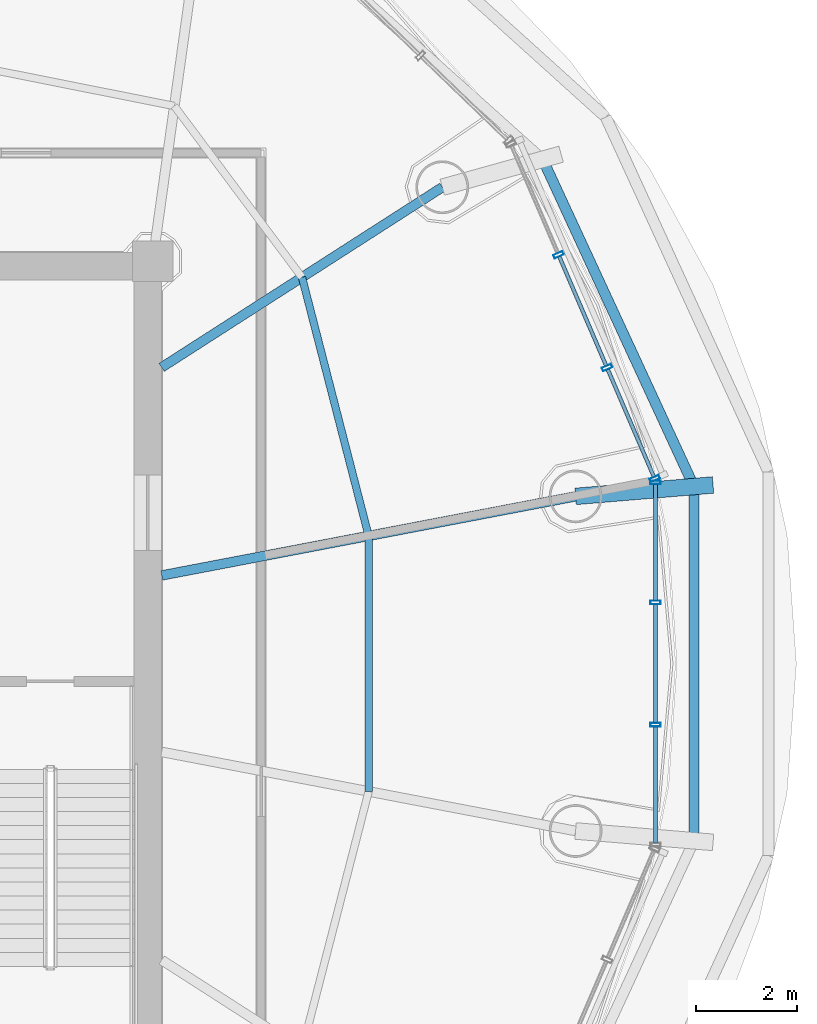
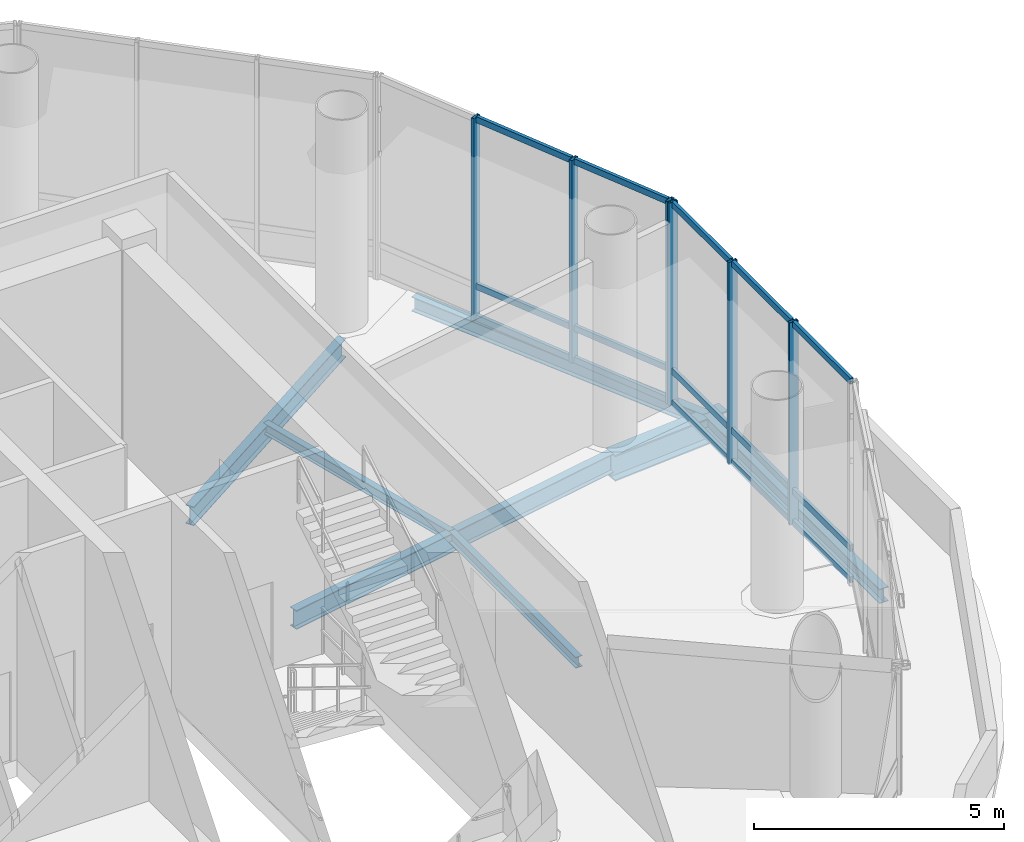
# One storey, part 9 of 22: 21 members, 7 beams, 2 elements without a shape of their own.
"""IFC4 building model written with IfcOpenShell, lengths in metres."""

from ifc_helpers import new_model, si_unit, direction, frame, origin, origin_2d, place, context, subcontext, project, spatial, hollow_rectangle, i_section, extrude, source, transform, mapped, material, material_profile, profile_set, type_object, element, aggregate, save


model = new_model("IFC4")

# Units and contexts
model_context = context("Model", 3, precision=1e-05, world=origin(), true_north=direction((-0.2419218956, 0.970295726276)))
body_context = subcontext(model_context, "Body", "Model", "MODEL_VIEW")
ifc_project = project(units=[si_unit("LENGTHUNIT", "METRE"), si_unit("AREAUNIT", "SQUARE_METRE"), si_unit("VOLUMEUNIT", "CUBIC_METRE"), si_unit("PLANEANGLEUNIT", "RADIAN"), si_unit("MASSUNIT", "GRAM", prefix="KILO")], contexts=[model_context])

# Site, building, storey
site_placement = place(None, origin())
site = spatial("IfcSite", under=ifc_project, at=site_placement, CompositionType="ELEMENT")
building_placement = place(site_placement, origin())
building = spatial("IfcBuilding", under=site, at=building_placement, Name="Cobrevalo Terracotta Tower", CompositionType="ELEMENT")
storey_placement = place(building_placement, frame((0.0, 0.0, 243.0)))
storey = spatial("IfcBuildingStorey", under=building, at=storey_placement, Name="L64", CompositionType="ELEMENT", Elevation=243.0)

# Beams
ifc_material_1 = material(Name="Steel S355", Category="steel")
ifc_material_profile_1 = material_profile(ifc_material_1, i_section(OverallWidth=0.19091796875, OverallDepth=0.4599609375, WebThickness=0.010009765625, FlangeThickness=0.01611328125, at=origin_2d()), Name="W 460x82")
ifc_profile_set_1 = profile_set([ifc_material_profile_1], Name="Steel S355")
beam_type_1 = type_object("IfcBeamType", Name="Structural Beam W 460x82 (Steel S355)", PredefinedType="BEAM", material=ifc_profile_set_1)
beam_1_placement = place(storey_placement, frame((55.408935546875, 30.126220703125, -0.679931640625), z_axis=(-0.982232301454, -0.18766913966, 0.0), x_axis=(0.18766913966, -0.982232301454, 0.0)))
element("IfcBeam", 1, at=beam_1_placement, inside=storey, type_object=beam_type_1, Name="L64 radial floor girder 01", PredefinedType="BEAM", context=body_context, shape_type="SweptSolid", body=[
    extrude(i_section(OverallWidth=0.19091796875, OverallDepth=0.4599609375, WebThickness=0.010009765625, FlangeThickness=0.01611328125, at=origin_2d()), origin(), (0.0, 0.0, 1.0), 8.3779296875),
])
beam_2_placement = place(storey_placement, frame((52.758544921875, 36.2724609375, -0.679931640625), z_axis=(-0.841568363304, -0.540150617778, 0.0), x_axis=(0.540150617778, -0.841568363304, 0.0)))
element("IfcBeam", 2, at=beam_2_placement, inside=storey, type_object=beam_type_1, Name="L64 radial floor girder 02", PredefinedType="BEAM", context=body_context, shape_type="SweptSolid", body=[
    extrude(i_section(OverallWidth=0.19091796875, OverallDepth=0.4599609375, WebThickness=0.010009765625, FlangeThickness=0.01611328125, at=origin_2d()), origin(), (0.0, 0.0, 1.0), 6.62890625),
])
ifc_material_profile_2 = material_profile(ifc_material_1, i_section(OverallWidth=0.3291015625, OverallDepth=0.635009765625, WebThickness=0.017822265625, FlangeThickness=0.031005859375, at=origin_2d()), Name="W 610x241")
ifc_profile_set_2 = profile_set([ifc_material_profile_2], Name="Steel S355")
beam_type_2 = type_object("IfcBeamType", Name="Structural Beam W 610x241 (Steel S355)", PredefinedType="BEAM", material=ifc_profile_set_2)
beam_3_placement = place(storey_placement, frame((58.1416015625, 30.352783203125, -0.767578125), z_axis=(-0.996580670121, -0.08262546787, 0.0), x_axis=(0.08262546787, -0.996580670121, 0.0)))
element("IfcBeam", 3, at=beam_3_placement, inside=storey, type_object=beam_type_2, Name="L64 setback step-link girder 01", PredefinedType="BEAM", context=body_context, shape_type="SweptSolid", body=[
    extrude(i_section(OverallWidth=0.3291015625, OverallDepth=0.635009765625, WebThickness=0.017822265625, FlangeThickness=0.031005859375, at=origin_2d()), origin(), (0.0, 0.0, 1.0), 2.741943359375),
])
ifc_material_profile_3 = material_profile(ifc_material_1, i_section(OverallWidth=0.14794921875, OverallDepth=0.26611328125, WebThickness=0.007568359375, FlangeThickness=0.012939453125, at=origin_2d()), Name="W 250x44.8")
ifc_profile_set_3 = profile_set([ifc_material_profile_3], Name="Steel S355")
beam_type_3 = type_object("IfcBeamType", Name="Structural Joist W 250x44.8 (Steel S355)", PredefinedType="JOIST", material=ifc_profile_set_3)
beam_4_placement = place(storey_placement, frame((51.29443359375, 29.340087890625, -0.5830078125), z_axis=(-0.249560968956, 0.968359087722, 0.0), x_axis=(-0.968359087722, -0.249560968956, 0.0)))
element("IfcBeam", 4, at=beam_4_placement, inside=storey, type_object=beam_type_3, Name="L64 circumferential secondary floor joist 01", PredefinedType="JOIST", context=body_context, shape_type="SweptSolid", body=[
    extrude(i_section(OverallWidth=0.14794921875, OverallDepth=0.26611328125, WebThickness=0.007568359375, FlangeThickness=0.012939453125, at=origin_2d()), origin(), (0.0, 0.0, 1.0), 5.31005859375),
])
beam_5_placement = place(storey_placement, frame((51.29443359375, 24.259765625, -0.5830078125), z_axis=(0.0, 1.0, 0.0), x_axis=(-1.0, 0.0, 0.0)))
element("IfcBeam", 5, at=beam_5_placement, inside=storey, type_object=beam_type_3, Name="L64 circumferential secondary floor joist 16", PredefinedType="JOIST", context=body_context, shape_type="SweptSolid", body=[
    extrude(i_section(OverallWidth=0.14794921875, OverallDepth=0.26611328125, WebThickness=0.007568359375, FlangeThickness=0.012939453125, at=origin_2d()), origin(), (0.0, 0.0, 1.0), 5.080322265625),
])
ifc_material_profile_4 = material_profile(ifc_material_1, i_section(OverallWidth=0.205078125, OverallDepth=0.35400390625, WebThickness=0.009521484375, FlangeThickness=0.016845703125, at=origin_2d()), Name="W 360x79")
ifc_profile_set_4 = profile_set([ifc_material_profile_4], Name="Steel S355")
beam_type_4 = type_object("IfcBeamType", Name="Structural Spandrel W 360x79 (Steel S355)", PredefinedType="SPANDREL", material=ifc_profile_set_4)
beam_6_placement = place(storey_placement, frame((57.762939453125, 30.3212890625, -0.626953125), z_axis=(-0.419705965131, 0.907660125176, 0.0), x_axis=(-0.907660125176, -0.419705965131, 0.0)))
element("IfcBeam", 6, at=beam_6_placement, inside=storey, type_object=beam_type_4, Name="L64 perimeter ring spandrel 01", PredefinedType="SPANDREL", context=body_context, shape_type="SweptSolid", body=[
    extrude(i_section(OverallWidth=0.205078125, OverallDepth=0.35400390625, WebThickness=0.009521484375, FlangeThickness=0.016845703125, at=origin_2d()), origin(), (0.0, 0.0, 1.0), 7.168701171875),
])
beam_7_placement = place(storey_placement, frame((57.762939453125, 23.278564453125, -0.626953125), z_axis=(0.0, 1.0, 0.0), x_axis=(-1.0, 0.0, 0.0)))
element("IfcBeam", 7, at=beam_7_placement, inside=storey, type_object=beam_type_4, Name="L64 perimeter ring spandrel 16", PredefinedType="SPANDREL", context=body_context, shape_type="SweptSolid", body=[
    extrude(i_section(OverallWidth=0.205078125, OverallDepth=0.35400390625, WebThickness=0.009521484375, FlangeThickness=0.016845703125, at=origin_2d()), origin(), (0.0, 0.0, 1.0), 7.042724609375),
])

# Curtain wall, members
ifc_material_2 = material(Name="Anodized aluminium", Category="aluminium")
curtain_wall_type = type_object("IfcCurtainWallType", Name="Double-height sky-lobby panoramic curtain wall CW-SK", PredefinedType="NOTDEFINED", material=ifc_material_2)
curtain_wall_1_placement = place(storey_placement, origin())
curtain_wall_1 = element("IfcCurtainWall", 8, at=curtain_wall_1_placement, inside=storey, type_object=curtain_wall_type, Name="L64 curtain wall CW-SK-L64-S01", PredefinedType="NOTDEFINED")
ifc_material_profile_5 = material_profile(ifc_material_2, hollow_rectangle(XDim=0.074951171875, YDim=0.199951171875, WallThickness=0.0048828125, at=origin_2d()), Name="CWM 75x200")
ifc_profile_set_5 = profile_set([ifc_material_profile_5], Name="Anodized aluminium")
member_type_1 = type_object("IfcMemberType", Name="Lower/mid tower unitised mullion 75x200", PredefinedType="MULLION", material=ifc_profile_set_5)
shared_shape_1 = source(origin(), body_context, "Body", "SweptSolid", [
    extrude(hollow_rectangle(XDim=0.074951171875, YDim=0.199951171875, WallThickness=0.0048828125, at=origin_2d()), origin(), (0.0, 0.0, 1.0), 4.93994140625),
])
member_1_placement = place(storey_placement, frame((56.98193359375, 30.47900390625, 0.0), z_axis=(0.0, 0.0, 1.0), x_axis=(-0.39482403454, 0.91875675875, 0.0)))
member_1 = element("IfcMember", 9, at=member_1_placement, type_object=member_type_1, Name="CW-SK-L64-S01 vertical mullion 01", PredefinedType="MULLION", context=body_context, shape_type="MappedRepresentation", body=[
    mapped(shared_shape_1, transform((0.0, 0.0, 0.0), scale=1.0)),
])
member_2_placement = place(storey_placement, frame((56.03369140625, 32.685791015625, 0.0), z_axis=(0.0, 0.0, 1.0), x_axis=(-0.39482403454, 0.91875675875, 0.0)))
member_2 = element("IfcMember", 10, at=member_2_placement, type_object=member_type_1, Name="CW-SK-L64-S01 vertical mullion 02", PredefinedType="MULLION", context=body_context, shape_type="MappedRepresentation", body=[
    mapped(shared_shape_1, transform((0.0, 0.0, 0.0), scale=1.0)),
])
member_3_placement = place(storey_placement, frame((55.069580078125, 34.92919921875, 0.0), z_axis=(0.0, 0.0, 1.0), x_axis=(-0.39482403454, 0.91875675875, 0.0)))
member_3 = element("IfcMember", 11, at=member_3_placement, type_object=member_type_1, Name="CW-SK-L64-S01 vertical mullion 03", PredefinedType="MULLION", context=body_context, shape_type="MappedRepresentation", body=[
    mapped(shared_shape_1, transform((0.0, 0.0, 0.0), scale=1.0)),
])

curtain_wall_2_placement = place(storey_placement, origin())
curtain_wall_2 = element("IfcCurtainWall", 12, at=curtain_wall_2_placement, inside=storey, type_object=curtain_wall_type, Name="L64 curtain wall CW-SK-L64-S16", PredefinedType="NOTDEFINED")
member_4_placement = place(storey_placement, frame((56.997802734375, 25.5859375, 0.0), z_axis=(0.0, 0.0, 1.0), x_axis=(0.0, 1.0, 0.0)))
member_4 = element("IfcMember", 13, at=member_4_placement, type_object=member_type_1, Name="CW-SK-L64-S16 vertical mullion 02", PredefinedType="MULLION", context=body_context, shape_type="MappedRepresentation", body=[
    mapped(shared_shape_1, transform((0.0, 0.0, 0.0), scale=1.0)),
])
member_5_placement = place(storey_placement, frame((56.997802734375, 28.01416015625, 0.0), z_axis=(0.0, 0.0, 1.0), x_axis=(0.0, 1.0, 0.0)))
member_5 = element("IfcMember", 14, at=member_5_placement, type_object=member_type_1, Name="CW-SK-L64-S16 vertical mullion 03", PredefinedType="MULLION", context=body_context, shape_type="MappedRepresentation", body=[
    mapped(shared_shape_1, transform((0.0, 0.0, 0.0), scale=1.0)),
])
member_6_placement = place(storey_placement, frame((56.997802734375, 30.40234375, 0.0), z_axis=(0.0, 0.0, 1.0), x_axis=(0.0, 1.0, 0.0)))
member_6 = element("IfcMember", 15, at=member_6_placement, type_object=member_type_1, Name="CW-SK-L64-S16 vertical mullion 04", PredefinedType="MULLION", context=body_context, shape_type="MappedRepresentation", body=[
    mapped(shared_shape_1, transform((0.0, 0.0, 0.0), scale=1.0)),
])

# Member
ifc_material_profile_6 = material_profile(ifc_material_2, hollow_rectangle(XDim=0.074951171875, YDim=0.14990234375, WallThickness=0.00439453125, at=origin_2d()), Name="CWT 75x150")
ifc_profile_set_6 = profile_set([ifc_material_profile_6], Name="Anodized aluminium")
member_type_2 = type_object("IfcMemberType", Name="Tower unitised aluminium transom 75x150", PredefinedType="USERDEFINED", material=ifc_profile_set_6)
shared_shape_2 = source(origin(), body_context, "Body", "SweptSolid", [
    extrude(hollow_rectangle(XDim=0.074951171875, YDim=0.14990234375, WallThickness=0.00439453125, at=origin_2d()), origin(), (0.0, 0.0, 1.0), 2.32177734375),
])
member_7_placement = place(storey_placement, frame((56.96630859375, 30.515869140625, 0.050048828125), z_axis=(-0.394858238772, 0.918742059162, 0.0), x_axis=(-0.918742059162, -0.394858238772, 0.0)))
member_7 = element("IfcMember", 16, at=member_7_placement, type_object=member_type_2, Name="CW-SK-L64-S01 transom B01-T1", ObjectType="TRANSOM", PredefinedType="USERDEFINED", context=body_context, shape_type="MappedRepresentation", body=[
    mapped(shared_shape_2, transform((0.0, 0.0, 0.0), scale=1.0)),
])

member_8_placement = place(storey_placement, frame((56.96630859375, 30.515869140625, 0.820068359375), z_axis=(-0.394858238772, 0.918742059162, 0.0), x_axis=(-0.918742059162, -0.394858238772, 0.0)))
member_8 = element("IfcMember", 17, at=member_8_placement, type_object=member_type_2, Name="CW-SK-L64-S01 transom B01-T2", ObjectType="TRANSOM", PredefinedType="USERDEFINED", context=body_context, shape_type="MappedRepresentation", body=[
    mapped(shared_shape_2, transform((0.0, 0.0, 0.0), scale=1.0)),
])

member_9_placement = place(storey_placement, frame((56.96630859375, 30.515869140625, 4.889892578125), z_axis=(-0.394858238772, 0.918742059162, 0.0), x_axis=(-0.918742059162, -0.394858238772, 0.0)))
member_9 = element("IfcMember", 18, at=member_9_placement, type_object=member_type_2, Name="CW-SK-L64-S01 transom B01-T3", ObjectType="TRANSOM", PredefinedType="USERDEFINED", context=body_context, shape_type="MappedRepresentation", body=[
    mapped(shared_shape_2, transform((0.0, 0.0, 0.0), scale=1.0)),
])

shared_shape_3 = source(origin(), body_context, "Body", "SweptSolid", [
    extrude(hollow_rectangle(XDim=0.074951171875, YDim=0.14990234375, WallThickness=0.00439453125, at=origin_2d()), origin(), (0.0, 0.0, 1.0), 2.36181640625),
])
member_10_placement = place(storey_placement, frame((56.017822265625, 32.722412109375, 0.050048828125), z_axis=(-0.394779970074, 0.918775693642, 0.0), x_axis=(-0.918775693642, -0.394779970074, 0.0)))
member_10 = element("IfcMember", 19, at=member_10_placement, type_object=member_type_2, Name="CW-SK-L64-S01 transom B02-T1", ObjectType="TRANSOM", PredefinedType="USERDEFINED", context=body_context, shape_type="MappedRepresentation", body=[
    mapped(shared_shape_3, transform((0.0, 0.0, 0.0), scale=1.0)),
])

member_11_placement = place(storey_placement, frame((56.017822265625, 32.722412109375, 0.820068359375), z_axis=(-0.394779970074, 0.918775693642, 0.0), x_axis=(-0.918775693642, -0.394779970074, 0.0)))
member_11 = element("IfcMember", 20, at=member_11_placement, type_object=member_type_2, Name="CW-SK-L64-S01 transom B02-T2", ObjectType="TRANSOM", PredefinedType="USERDEFINED", context=body_context, shape_type="MappedRepresentation", body=[
    mapped(shared_shape_3, transform((0.0, 0.0, 0.0), scale=1.0)),
])

member_12_placement = place(storey_placement, frame((56.017822265625, 32.722412109375, 4.889892578125), z_axis=(-0.394779970074, 0.918775693642, 0.0), x_axis=(-0.918775693642, -0.394779970074, 0.0)))
member_12 = element("IfcMember", 21, at=member_12_placement, type_object=member_type_2, Name="CW-SK-L64-S01 transom B02-T3", ObjectType="TRANSOM", PredefinedType="USERDEFINED", context=body_context, shape_type="MappedRepresentation", body=[
    mapped(shared_shape_3, transform((0.0, 0.0, 0.0), scale=1.0)),
])

aggregate(curtain_wall_1, [member_1, member_2, member_3, member_7, member_8, member_9, member_10, member_11, member_12])

shared_shape_4 = source(origin(), body_context, "Body", "SweptSolid", [
    extrude(hollow_rectangle(XDim=0.074951171875, YDim=0.14990234375, WallThickness=0.00439453125, at=origin_2d()), origin(), (0.0, 0.0, 1.0), 2.30810546875),
])
member_13_placement = place(storey_placement, frame((56.997802734375, 28.05419921875, 0.050048828125), z_axis=(0.0, 1.0, 0.0), x_axis=(-1.0, 0.0, 0.0)))
member_13 = element("IfcMember", 22, at=member_13_placement, type_object=member_type_2, Name="CW-SK-L64-S16 transom B03-T1", ObjectType="TRANSOM", PredefinedType="USERDEFINED", context=body_context, shape_type="MappedRepresentation", body=[
    mapped(shared_shape_4, transform((0.0, 0.0, 0.0), scale=1.0)),
])

member_14_placement = place(storey_placement, frame((56.997802734375, 28.05419921875, 0.820068359375), z_axis=(0.0, 1.0, 0.0), x_axis=(-1.0, 0.0, 0.0)))
member_14 = element("IfcMember", 23, at=member_14_placement, type_object=member_type_2, Name="CW-SK-L64-S16 transom B03-T2", ObjectType="TRANSOM", PredefinedType="USERDEFINED", context=body_context, shape_type="MappedRepresentation", body=[
    mapped(shared_shape_4, transform((0.0, 0.0, 0.0), scale=1.0)),
])

member_15_placement = place(storey_placement, frame((56.997802734375, 28.05419921875, 4.889892578125), z_axis=(0.0, 1.0, 0.0), x_axis=(-1.0, 0.0, 0.0)))
member_15 = element("IfcMember", 24, at=member_15_placement, type_object=member_type_2, Name="CW-SK-L64-S16 transom B03-T3", ObjectType="TRANSOM", PredefinedType="USERDEFINED", context=body_context, shape_type="MappedRepresentation", body=[
    mapped(shared_shape_4, transform((0.0, 0.0, 0.0), scale=1.0)),
])

shared_shape_5 = source(origin(), body_context, "Body", "SweptSolid", [
    extrude(hollow_rectangle(XDim=0.074951171875, YDim=0.14990234375, WallThickness=0.00439453125, at=origin_2d()), origin(), (0.0, 0.0, 1.0), 2.34814453125),
])
member_16_placement = place(storey_placement, frame((56.997802734375, 25.6259765625, 0.050048828125), z_axis=(0.0, 1.0, 0.0), x_axis=(-1.0, 0.0, 0.0)))
member_16 = element("IfcMember", 25, at=member_16_placement, type_object=member_type_2, Name="CW-SK-L64-S16 transom B02-T1", ObjectType="TRANSOM", PredefinedType="USERDEFINED", context=body_context, shape_type="MappedRepresentation", body=[
    mapped(shared_shape_5, transform((0.0, 0.0, 0.0), scale=1.0)),
])

member_17_placement = place(storey_placement, frame((56.997802734375, 25.6259765625, 0.820068359375), z_axis=(0.0, 1.0, 0.0), x_axis=(-1.0, 0.0, 0.0)))
member_17 = element("IfcMember", 26, at=member_17_placement, type_object=member_type_2, Name="CW-SK-L64-S16 transom B02-T2", ObjectType="TRANSOM", PredefinedType="USERDEFINED", context=body_context, shape_type="MappedRepresentation", body=[
    mapped(shared_shape_5, transform((0.0, 0.0, 0.0), scale=1.0)),
])

member_18_placement = place(storey_placement, frame((56.997802734375, 25.6259765625, 4.889892578125), z_axis=(0.0, 1.0, 0.0), x_axis=(-1.0, 0.0, 0.0)))
member_18 = element("IfcMember", 27, at=member_18_placement, type_object=member_type_2, Name="CW-SK-L64-S16 transom B02-T3", ObjectType="TRANSOM", PredefinedType="USERDEFINED", context=body_context, shape_type="MappedRepresentation", body=[
    mapped(shared_shape_5, transform((0.0, 0.0, 0.0), scale=1.0)),
])

shared_shape_6 = source(origin(), body_context, "Body", "SweptSolid", [
    extrude(hollow_rectangle(XDim=0.074951171875, YDim=0.14990234375, WallThickness=0.00439453125, at=origin_2d()), origin(), (0.0, 0.0, 1.0), 2.308349609375),
])
member_19_placement = place(storey_placement, frame((56.997802734375, 23.237548828125, 0.050048828125), z_axis=(0.0, 1.0, 0.0), x_axis=(-1.0, 0.0, 0.0)))
member_19 = element("IfcMember", 28, at=member_19_placement, type_object=member_type_2, Name="CW-SK-L64-S16 transom B01-T1", ObjectType="TRANSOM", PredefinedType="USERDEFINED", context=body_context, shape_type="MappedRepresentation", body=[
    mapped(shared_shape_6, transform((0.0, 0.0, 0.0), scale=1.0)),
])

member_20_placement = place(storey_placement, frame((56.997802734375, 23.237548828125, 0.820068359375), z_axis=(0.0, 1.0, 0.0), x_axis=(-1.0, 0.0, 0.0)))
member_20 = element("IfcMember", 29, at=member_20_placement, type_object=member_type_2, Name="CW-SK-L64-S16 transom B01-T2", ObjectType="TRANSOM", PredefinedType="USERDEFINED", context=body_context, shape_type="MappedRepresentation", body=[
    mapped(shared_shape_6, transform((0.0, 0.0, 0.0), scale=1.0)),
])

member_21_placement = place(storey_placement, frame((56.997802734375, 23.237548828125, 4.889892578125), z_axis=(0.0, 1.0, 0.0), x_axis=(-1.0, 0.0, 0.0)))
member_21 = element("IfcMember", 30, at=member_21_placement, type_object=member_type_2, Name="CW-SK-L64-S16 transom B01-T3", ObjectType="TRANSOM", PredefinedType="USERDEFINED", context=body_context, shape_type="MappedRepresentation", body=[
    mapped(shared_shape_6, transform((0.0, 0.0, 0.0), scale=1.0)),
])

aggregate(curtain_wall_2, [member_4, member_5, member_6, member_19, member_20, member_21, member_16, member_17, member_18, member_13, member_14, member_15])

save(model, "model.ifc")
